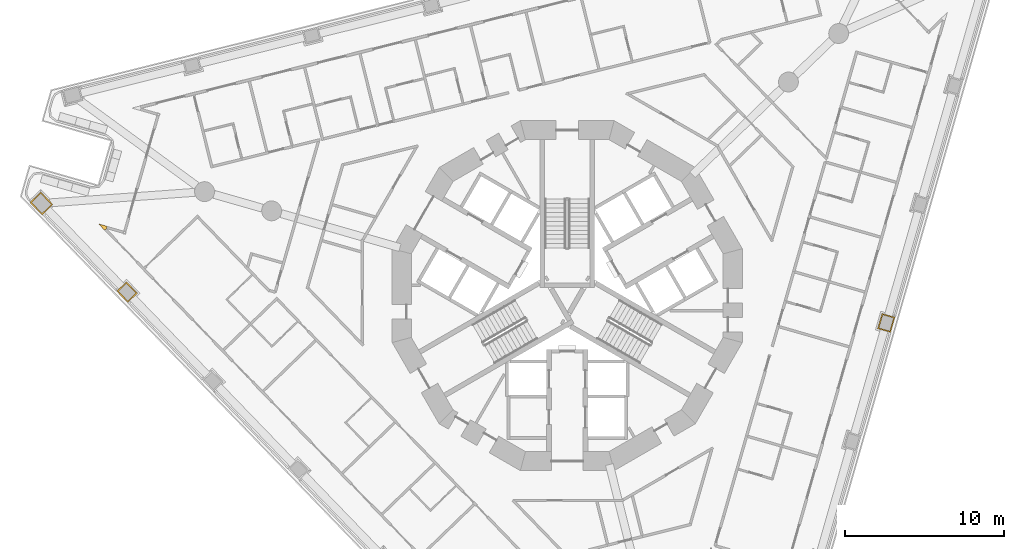
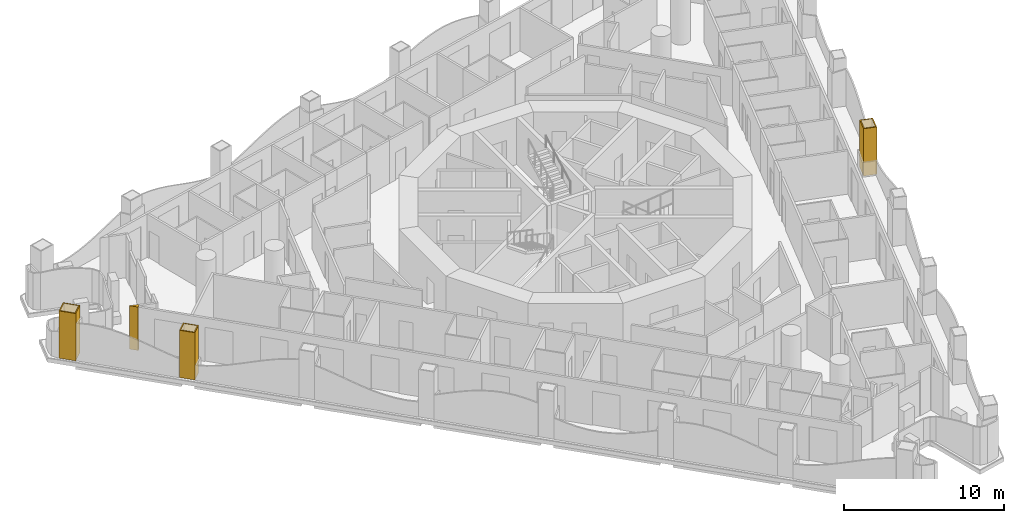
# One storey, part 16 of 20: 4 coverings.
"""IFC4 building model written with IfcOpenShell, lengths in metres."""

from ifc_helpers import new_model, si_unit, direction, frame, origin, place, context, subcontext, project, spatial, polyline, outline, extrude, material, layer, layer_set, type_object, element, save


model = new_model("IFC4")

# Units and contexts
model_context = context("Model", 3, precision=1e-05, world=origin(), true_north=direction((0.0, 1.0)))
body_context = subcontext(model_context, "Body", "Model", "MODEL_VIEW")
ifc_project = project(units=[si_unit("LENGTHUNIT", "METRE"), si_unit("AREAUNIT", "SQUARE_METRE"), si_unit("VOLUMEUNIT", "CUBIC_METRE"), si_unit("PLANEANGLEUNIT", "RADIAN"), si_unit("MASSUNIT", "GRAM", prefix="KILO")], contexts=[model_context])

# Site, building, storey
site_placement = place(None, origin())
site = spatial("IfcSite", under=ifc_project, at=site_placement, CompositionType="ELEMENT")
building_placement = place(site_placement, origin())
building = spatial("IfcBuilding", under=site, at=building_placement, Name="Trine Commons Tower", CompositionType="ELEMENT")
storey_placement = place(building_placement, frame((0.0, 0.0, 112.5)))
storey = spatial("IfcBuildingStorey", under=building, at=storey_placement, Name="L28", CompositionType="ELEMENT", Elevation=112.5)

# Coverings
ifc_material_1 = material(Name="Aluminium-framed insulated wall panel", Category="aluminium")
ifc_layer_1 = layer(ifc_material_1, 0.14990234375)
ifc_layer_set_1 = layer_set([ifc_layer_1], Name="Aluminium-framed insulated wall panel")
covering_type_1 = type_object("IfcCoveringType", Name="Glazing corner post, aluminium", PredefinedType="CLADDING", material=ifc_layer_set_1)
covering_1_placement = place(storey_placement, origin())
element("IfcCovering", 1, at=covering_1_placement, inside=storey, type_object=covering_type_1, Name="Glazing corner post 3-01", PredefinedType="CLADDING", context=body_context, shape_type="SweptSolid", body=[
    extrude(outline(polyline([(50.897216796875, 66.611083984375), (51.005126953125, 66.71533203125), (51.04638671875, 66.859619140625), (50.50830078125, 67.013916015625), (50.897216796875, 66.611083984375)])), origin(), (0.0, 0.0, 1.0), 3.300048828125),
])
ifc_material_2 = material(Name="Limestone, honed", Category="masonry")
ifc_layer_2 = layer(ifc_material_2, 0.074951171875)
ifc_layer_set_2 = layer_set([ifc_layer_2], Name="Limestone, honed")
covering_type_2 = type_object("IfcCoveringType", Name="Limestone column cladding 75", PredefinedType="CLADDING", material=ifc_layer_set_2)
covering_2_placement = place(storey_placement, origin())
element("IfcCovering", 2, at=covering_2_placement, inside=storey, type_object=covering_type_2, Name="Limestone pier cladding 3-07", PredefinedType="CLADDING", context=body_context, shape_type="SweptSolid", body=[
    extrude(outline(polyline([(52.265380859375, 63.373291015625), (51.654052734375, 62.78271484375), (52.3486328125, 62.0634765625), (52.960205078125, 62.65380859375), (52.265380859375, 63.373291015625)]), holes=[polyline([(52.263671875, 63.26708984375), (51.760009765625, 62.781005859375), (52.3505859375, 62.16943359375), (52.85400390625, 62.65576171875), (52.263671875, 63.26708984375)])]), origin(), (0.0, 0.0, 1.0), 3.60009765625),
])
covering_3_placement = place(storey_placement, origin())
element("IfcCovering", 3, at=covering_3_placement, inside=storey, type_object=covering_type_2, Name="Limestone pier cladding 3-08", PredefinedType="CLADDING", context=body_context, shape_type="SweptSolid", body=[
    extrude(outline(polyline([(46.877685546875, 69.0244140625), (46.194580078125, 68.364501953125), (46.95849609375, 67.572998046875), (47.641845703125, 68.23291015625), (46.877685546875, 69.0244140625)]), holes=[polyline([(46.8759765625, 68.918212890625), (46.300537109375, 68.362548828125), (46.96044921875, 67.67919921875), (47.535888671875, 68.23486328125), (46.8759765625, 68.918212890625)])]), origin(), (0.0, 0.0, 1.0), 3.60009765625),
])
covering_4_placement = place(storey_placement, origin())
element("IfcCovering", 4, at=covering_4_placement, inside=storey, type_object=covering_type_2, Name="Limestone pier cladding 3-20", PredefinedType="CLADDING", context=body_context, shape_type="SweptSolid", body=[
    extrude(outline(polyline([(100.61865234375, 61.14306640625), (99.801513671875, 61.377197265625), (99.52587890625, 60.416015625), (100.343017578125, 60.181640625), (100.61865234375, 61.14306640625)]), holes=[polyline([(100.52587890625, 61.091552734375), (99.85302734375, 61.284423828125), (99.61865234375, 60.46728515625), (100.29150390625, 60.2744140625), (100.52587890625, 61.091552734375)])]), origin(), (0.0, 0.0, 1.0), 3.60009765625),
])

save(model, "model.ifc")
